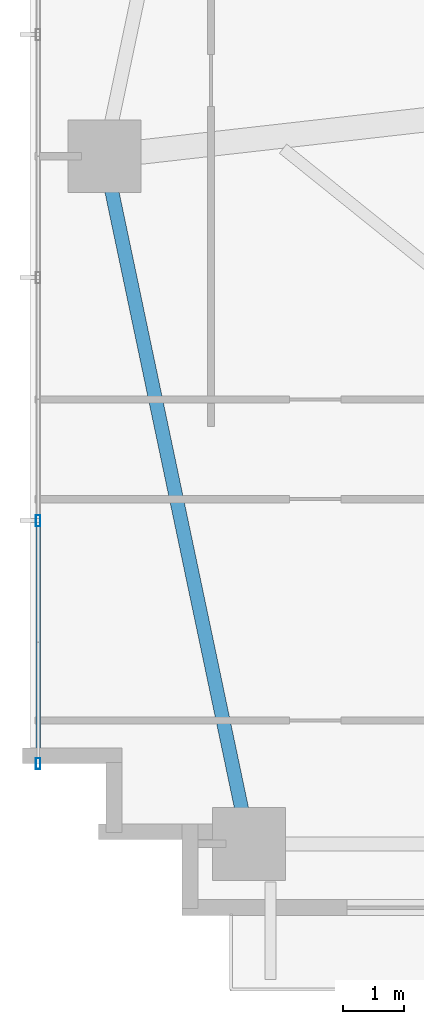
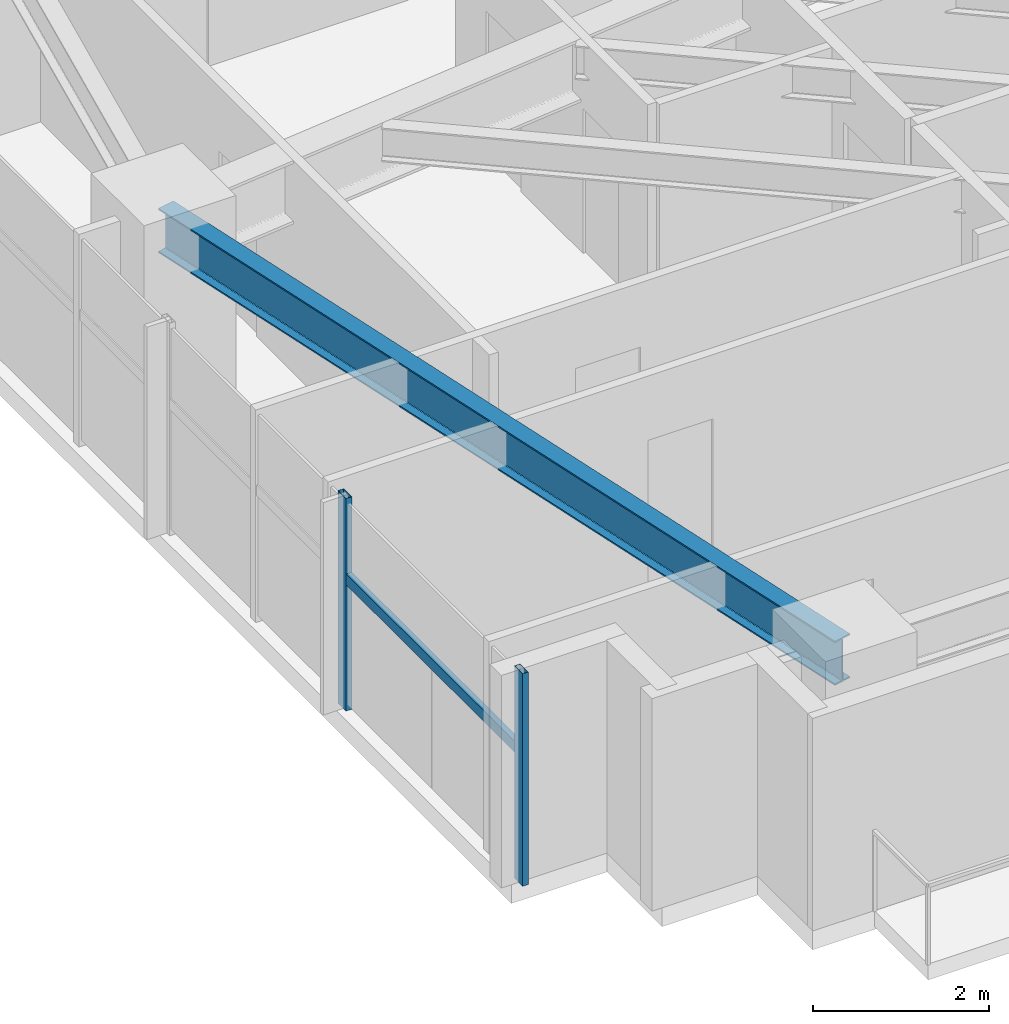
# One storey, part 2 of 25: 3 members, 1 beam, 1 element without a shape of its own.
"""IFC4 building model written with IfcOpenShell, lengths in metres."""

import ifcopenshell
import ifcopenshell.guid

model = None  # the IFC model being written
_history = None  # IfcOwnerHistory: only IFC2X3 demands one
_inside = {}  # id of a spatial element -> (the spatial element, [elements in it])
_under = {}  # id of a project, library or spatial element -> (it, [spatial elements below it])
_declared = {}  # id of a project -> (the project, [libraries it declares])
_typed = {}  # id of a type object -> (the type object, [elements of that type])
_made_of = {}  # id of a material, layer set ... -> (it, [elements and type objects made of it])


def new_model(schema):
    """Start an empty IFC model of exactly this schema.

    Asked for "IFC4X3", IfcOpenShell would pick the latest addendum, in which some entities
    have other attributes; the version numbers below select the first issue.
    IFC2X3 requires an IfcOwnerHistory on every rooted entity: one is made here for all.
    """
    global model, _history
    if schema == "IFC4X3":
        model = ifcopenshell.file(schema_version=(4, 3, 0, 0))
    else:
        model = ifcopenshell.file(schema=schema)
    _inside.clear()
    _under.clear()
    _declared.clear()
    _typed.clear()
    _made_of.clear()
    _history = None
    if model.schema == "IFC2X3":
        org = make("IfcOrganization", Name="unknown")
        user = make(
            "IfcPersonAndOrganization",
            ThePerson=make("IfcPerson", FamilyName="unknown"),
            TheOrganization=org,
        )
        app = make(
            "IfcApplication",
            ApplicationDeveloper=org,
            Version="unknown",
            ApplicationFullName="unknown",
            ApplicationIdentifier="unknown",
        )
        _history = make(
            "IfcOwnerHistory",
            OwningUser=user,
            OwningApplication=app,
            ChangeAction="ADDED",
            CreationDate=0,
        )
    return model


def make(cls, **values):
    """One entity of the class cls with the attributes given. An attribute that is None is left unset."""
    return model.create_entity(
        cls, **{name: value for name, value in values.items() if value is not None}
    )


def rooted(cls, **values):
    """An entity with a GlobalId (a new one), such as an element, a storey or a relation."""
    return make(cls, GlobalId=ifcopenshell.guid.new(), OwnerHistory=_history, **values)


def si_unit(unit_type, name, prefix=None):
    """IfcSIUnit, for example si_unit("LENGTHUNIT", "METRE", prefix="MILLI")."""
    return make("IfcSIUnit", UnitType=unit_type, Prefix=prefix, Name=name)


def assignment(units):
    """IfcUnitAssignment: the units of a project."""
    return None if units is None else make("IfcUnitAssignment", Units=units)


def point(xyz):
    """IfcCartesianPoint."""
    return None if xyz is None else make("IfcCartesianPoint", Coordinates=xyz)


def direction(xyz):
    """IfcDirection."""
    return None if xyz is None else make("IfcDirection", DirectionRatios=xyz)


def frame(location, z_axis=None, x_axis=None):
    """IfcAxis2Placement3D, a coordinate frame: its origin and axes. An axis left out is left unset."""
    return make(
        "IfcAxis2Placement3D",
        Location=point(location),
        Axis=direction(z_axis),
        RefDirection=direction(x_axis),
    )


def frame_2d(location, x_axis=None):
    """IfcAxis2Placement2D, a coordinate frame in the plane: its origin and x axis."""
    return make(
        "IfcAxis2Placement2D", Location=point(location), RefDirection=direction(x_axis)
    )


def origin():
    """The frame at (0, 0, 0) with its axes left unset."""
    return frame((0.0, 0.0, 0.0))


def origin_2d():
    """The frame at (0, 0) in the plane with its x axis left unset."""
    return frame_2d((0.0, 0.0))


def place(relative_to, where):
    """IfcLocalPlacement: puts the frame where relative to a parent placement (None: the world)."""
    return make(
        "IfcLocalPlacement", PlacementRelTo=relative_to, RelativePlacement=where
    )


def context(
    kind, dimensions, precision=None, world=None, true_north=None, identifier=None
):
    """IfcGeometricRepresentationContext, for example the 3D "Model" context."""
    return make(
        "IfcGeometricRepresentationContext",
        ContextIdentifier=identifier,
        ContextType=kind,
        CoordinateSpaceDimension=dimensions,
        Precision=precision,
        WorldCoordinateSystem=world,
        TrueNorth=true_north,
    )


def subcontext(parent, identifier, kind, view, scale=None):
    """IfcGeometricRepresentationSubContext, for example "Body" below "Model"."""
    return make(
        "IfcGeometricRepresentationSubContext",
        ContextIdentifier=identifier,
        ContextType=kind,
        ParentContext=parent,
        TargetScale=scale,
        TargetView=view,
    )


def project(units=None, contexts=None):
    """IfcProject with its units and contexts."""
    return rooted(
        "IfcProject",
        Name="project",
        RepresentationContexts=contexts,
        UnitsInContext=assignment(units),
    )


def spatial(cls, under=None, at=None, **own):
    """A site, building, storey or space (cls), placed at a placement, below another one or the project."""
    s = rooted(cls, ObjectPlacement=at, **own)
    if under is not None:
        _under.setdefault(under.id(), (under, []))[1].append(s)
    return s


def profile(cls, at=None, kind="AREA", **sizes):
    """A parametric profile (cls). Its sizes go by their IFC names, for example OverallWidth=200.0."""
    return make(cls, ProfileType=kind, Position=at, **sizes)


def hollow_rectangle(**sizes):
    """IfcRectangleHollowProfileDef."""
    return profile("IfcRectangleHollowProfileDef", **sizes)


def i_section(**sizes):
    """IfcIShapeProfileDef."""
    return profile("IfcIShapeProfileDef", **sizes)


def extrude(swept, where, along, depth):
    """IfcExtrudedAreaSolid: the profile swept, set in the frame where, extruded along a direction by depth."""
    return make(
        "IfcExtrudedAreaSolid",
        SweptArea=swept,
        Position=where,
        ExtrudedDirection=direction(along),
        Depth=depth,
    )


def shape(context_of_items, identifier, shape_type, items):
    """IfcShapeRepresentation: the items that make up one representation, for example the "Body"."""
    return make(
        "IfcShapeRepresentation",
        ContextOfItems=context_of_items,
        RepresentationIdentifier=identifier,
        RepresentationType=shape_type,
        Items=items,
    )


def source(mapping_origin, context_of_items, identifier, shape_type, items):
    """IfcRepresentationMap: a shape defined once, which mapped items show again and again."""
    return make(
        "IfcRepresentationMap",
        MappingOrigin=mapping_origin,
        MappedRepresentation=shape(context_of_items, identifier, shape_type, items),
    )


def transform(
    local_origin,
    x_axis=None,
    y_axis=None,
    z_axis=None,
    scale=None,
    scale2=None,
    scale3=None,
    uniform=True,
):
    """IfcCartesianTransformationOperator3D, or its non-uniform kind. x_axis, y_axis, z_axis: its Axis1, 2, 3."""
    if uniform:
        return make(
            "IfcCartesianTransformationOperator3D",
            Axis1=direction(x_axis),
            Axis2=direction(y_axis),
            LocalOrigin=point(local_origin),
            Scale=scale,
            Axis3=direction(z_axis),
        )
    return make(
        "IfcCartesianTransformationOperator3DnonUniform",
        Axis1=direction(x_axis),
        Axis2=direction(y_axis),
        LocalOrigin=point(local_origin),
        Scale=scale,
        Axis3=direction(z_axis),
        Scale2=scale2,
        Scale3=scale3,
    )


def mapped(mapping_source, mapping_target):
    """IfcMappedItem: shows the shape of a source again, moved by a transform."""
    return make(
        "IfcMappedItem", MappingSource=mapping_source, MappingTarget=mapping_target
    )


def material(Name=None, Category=None):
    """IfcMaterial."""
    return make("IfcMaterial", Name=Name, Category=Category)


def material_profile(
    of_material, cross_section, Name=None, Category=None, Priority=None
):
    """IfcMaterialProfile: a cross section and its material."""
    return make(
        "IfcMaterialProfile",
        Name=Name,
        Material=of_material,
        Profile=cross_section,
        Priority=Priority,
        Category=Category,
    )


def profile_set(profiles, Name=None, composite=None):
    """IfcMaterialProfileSet."""
    return make(
        "IfcMaterialProfileSet",
        Name=Name,
        MaterialProfiles=profiles,
        CompositeProfile=composite,
    )


def made_of(thing, what):
    """Note that an element or type object is made of a material, layer set ...; save() writes the relation."""
    if what is not None:
        _made_of.setdefault(what.id(), (what, []))[1].append(thing)
    return thing


def type_object(cls, material=None, **own):
    """A type object (cls), such as IfcWallType, which elements share."""
    return made_of(rooted(cls, **own), material)


def type_shapes(of_type, sources):
    """Give a type object the sources (RepresentationMaps) that its elements show as mapped items."""
    of_type.RepresentationMaps = sources


def element(
    cls,
    number,
    at=None,
    inside=None,
    cuts=None,
    type_object=None,
    material=None,
    context=None,
    identifier="Body",
    shape_type=None,
    held_by="IfcProductDefinitionShape",
    body=None,
    shapes=None,
    **own,
):
    """One element of the class cls, such as IfcWall. Its Tag is "e" and its number.

    at: its placement. inside: the storey or other place that contains it. cuts: it is an
    opening in that element (IfcRelVoidsElement). A single representation is given by context,
    identifier, shape_type and body (its items); several are given by shapes. held_by: the class
    of the entity that holds the representations. save() writes the other relations.
    """
    e = rooted(cls, Tag="e%d" % number, ObjectPlacement=at, **own)
    if body is not None:
        shapes = [shape(context, identifier, shape_type, body)]
    if shapes is not None:
        e.Representation = make(held_by, Representations=shapes)
    if inside is not None:
        _inside.setdefault(inside.id(), (inside, []))[1].append(e)
    if cuts is not None:
        rooted(
            "IfcRelVoidsElement", RelatingBuildingElement=cuts, RelatedOpeningElement=e
        )
    if type_object is not None:
        _typed.setdefault(type_object.id(), (type_object, []))[1].append(e)
    return made_of(e, material)


def aggregate(whole, parts):
    """IfcRelAggregates: a whole, such as a stair, and the parts it consists of."""
    return rooted("IfcRelAggregates", RelatingObject=whole, RelatedObjects=parts)


def save(model, path):
    """Write the relations noted so far, then the file.

    IfcRelAggregates (storeys below a building ...), IfcRelContainedInSpatialStructure (elements
    in a storey), IfcRelDefinesByType, IfcRelAssociatesMaterial and IfcRelDeclares: one each for
    every whole, place, type object, material and project.
    """
    for whole, parts in _under.values():
        aggregate(whole, parts)
    for where, things in _inside.values():
        rooted(
            "IfcRelContainedInSpatialStructure",
            RelatedElements=things,
            RelatingStructure=where,
        )
    for kind, things in _typed.values():
        rooted("IfcRelDefinesByType", RelatedObjects=things, RelatingType=kind)
    for what, things in _made_of.values():
        rooted("IfcRelAssociatesMaterial", RelatedObjects=things, RelatingMaterial=what)
    for by, libraries in _declared.values():
        rooted("IfcRelDeclares", RelatingContext=by, RelatedDefinitions=libraries)
    model.write(path)


model = new_model("IFC4")

# Units and contexts
model_context = context("Model", 3, precision=1e-05, world=origin(), true_north=direction((0.0, 1.0)))
body_context = subcontext(model_context, "Body", "Model", "MODEL_VIEW")
ifc_project = project(units=[si_unit("LENGTHUNIT", "METRE"), si_unit("AREAUNIT", "SQUARE_METRE"), si_unit("VOLUMEUNIT", "CUBIC_METRE"), si_unit("PLANEANGLEUNIT", "RADIAN"), si_unit("MASSUNIT", "GRAM", prefix="KILO")], contexts=[model_context])

# Site, building, storey
site_placement = place(None, origin())
site = spatial("IfcSite", under=ifc_project, at=site_placement, CompositionType="ELEMENT")
building_placement = place(site_placement, origin())
building = spatial("IfcBuilding", under=site, at=building_placement, Name="Astriad Promenade Condominiums", CompositionType="ELEMENT")
storey_placement = place(building_placement, frame((0.0, 0.0, 29.39990234375)))
storey = spatial("IfcBuildingStorey", under=building, at=storey_placement, Name="L07", CompositionType="ELEMENT", Elevation=29.39990234375)

# Beam
ifc_material_1 = material(Name="Steel ASTM A992 Grade 50", Category="steel")
ifc_material_profile_1 = material_profile(ifc_material_1, i_section(OverallWidth=0.22900390625, OverallDepth=0.612060546875, WebThickness=0.011962890625, FlangeThickness=0.01953125, FilletRadius=0.017822265625, at=origin_2d()), Name="W24X84")
ifc_profile_set_1 = profile_set([ifc_material_profile_1], Name="Steel ASTM A992 Grade 50")
beam_type = type_object("IfcBeamType", Name="STEEL SPANDREL BEAM W24X84", PredefinedType="SPANDREL", material=ifc_profile_set_1)
shared_shape_1 = source(origin(), body_context, "Body", "SweptSolid", [
    extrude(i_section(OverallWidth=0.22900390625, OverallDepth=0.612060546875, WebThickness=0.011962890625, FlangeThickness=0.01953125, FilletRadius=0.017822265625, at=origin_2d()), origin(), (0.0, 0.0, 1.0), 11.487548828125),
])
type_shapes(beam_type, [shared_shape_1])
beam_placement = place(storey_placement, frame((7.0283203125, 15.160888671875, 2.634033203125), z_axis=(0.205748055501, -0.978604995725, 0.0), x_axis=(0.978604995725, 0.205748055501, 0.0)))
element("IfcBeam", 1, at=beam_placement, inside=storey, type_object=beam_type, Name="Perimeter Spandrel Beam SP-W1-L07", PredefinedType="SPANDREL", context=body_context, shape_type="MappedRepresentation", body=[
    mapped(shared_shape_1, transform((0.0, 0.0, 0.0), scale=1.0)),
])

# Curtain wall, members
ifc_material_2 = material(Name="Anodised aluminium Black Dark Glass Unitised", Category="aluminium")
curtain_wall_type = type_object("IfcCurtainWallType", Name="CW-B1-DARK", PredefinedType="USERDEFINED", material=ifc_material_2)
curtain_wall_placement = place(storey_placement, origin())
curtain_wall = element("IfcCurtainWall", 2, at=curtain_wall_placement, inside=storey, type_object=curtain_wall_type, Name="CW-L07-W", ObjectType="UNITISED_CURTAIN_WALL", PredefinedType="USERDEFINED")
ifc_material_3 = material(Name="Anodised aluminium 6063-T6 Black", Category="aluminium")
ifc_material_profile_2 = material_profile(ifc_material_3, hollow_rectangle(XDim=0.074951171875, YDim=0.14990234375, WallThickness=0.004150390625, at=origin_2d()), Name="ALU-TRN-75X150")
ifc_profile_set_2 = profile_set([ifc_material_profile_2], Name="Anodised aluminium 6063-T6 Black")
member_type_1 = type_object("IfcMemberType", Name="TRN-ALU-TRN-75X150", PredefinedType="USERDEFINED", material=ifc_profile_set_2)
shared_shape_2 = source(origin(), body_context, "Body", "SweptSolid", [
    extrude(hollow_rectangle(XDim=0.074951171875, YDim=0.14990234375, WallThickness=0.004150390625, at=origin_2d()), origin(), (0.0, 0.0, 1.0), 4.0),
])
type_shapes(member_type_1, [shared_shape_2])
member_1_placement = place(storey_placement, frame((5.929931640625, 5.199951171875, 1.822998046875), z_axis=(0.0, 1.0, 0.0), x_axis=(-1.0, 0.0, 0.0)))
member_1 = element("IfcMember", 3, at=member_1_placement, type_object=member_type_1, Name="CW-L07-W-TRN-00-0", ObjectType="TRANSOM", PredefinedType="USERDEFINED", context=body_context, shape_type="MappedRepresentation", body=[
    mapped(shared_shape_2, transform((0.0, 0.0, 0.0), scale=1.0)),
])
ifc_material_profile_3 = material_profile(ifc_material_3, hollow_rectangle(XDim=0.074951171875, YDim=0.18505859375, WallThickness=0.00439453125, at=origin_2d()), Name="ALU-MUL-75X185")
ifc_profile_set_3 = profile_set([ifc_material_profile_3], Name="Anodised aluminium 6063-T6 Black")
member_type_2 = type_object("IfcMemberType", Name="MUL-ALU-MUL-75X185", PredefinedType="MULLION", material=ifc_profile_set_3)
shared_shape_3 = source(origin(), body_context, "Body", "SweptSolid", [
    extrude(hollow_rectangle(XDim=0.074951171875, YDim=0.18505859375, WallThickness=0.00439453125, at=origin_2d()), origin(), (0.0, 0.0, 1.0), 2.940185546875),
])
type_shapes(member_type_2, [shared_shape_3])
member_2_placement = place(storey_placement, frame((5.929931640625, 5.199951171875, 0.0), z_axis=(0.0, 0.0, 1.0), x_axis=(1.0, 0.0, 0.0)))
member_2 = element("IfcMember", 4, at=member_2_placement, type_object=member_type_2, Name="CW-L07-W-MUL-00", PredefinedType="MULLION", context=body_context, shape_type="MappedRepresentation", body=[
    mapped(shared_shape_3, transform((0.0, 0.0, 0.0), scale=1.0)),
])
member_3_placement = place(storey_placement, frame((5.929931640625, 9.199951171875, 0.0), z_axis=(0.0, 0.0, 1.0), x_axis=(1.0, 0.0, 0.0)))
member_3 = element("IfcMember", 5, at=member_3_placement, type_object=member_type_2, Name="CW-L07-W-MUL-01", PredefinedType="MULLION", context=body_context, shape_type="MappedRepresentation", body=[
    mapped(shared_shape_3, transform((0.0, 0.0, 0.0), scale=1.0)),
])
aggregate(curtain_wall, [member_2, member_3, member_1])

save(model, "model.ifc")
